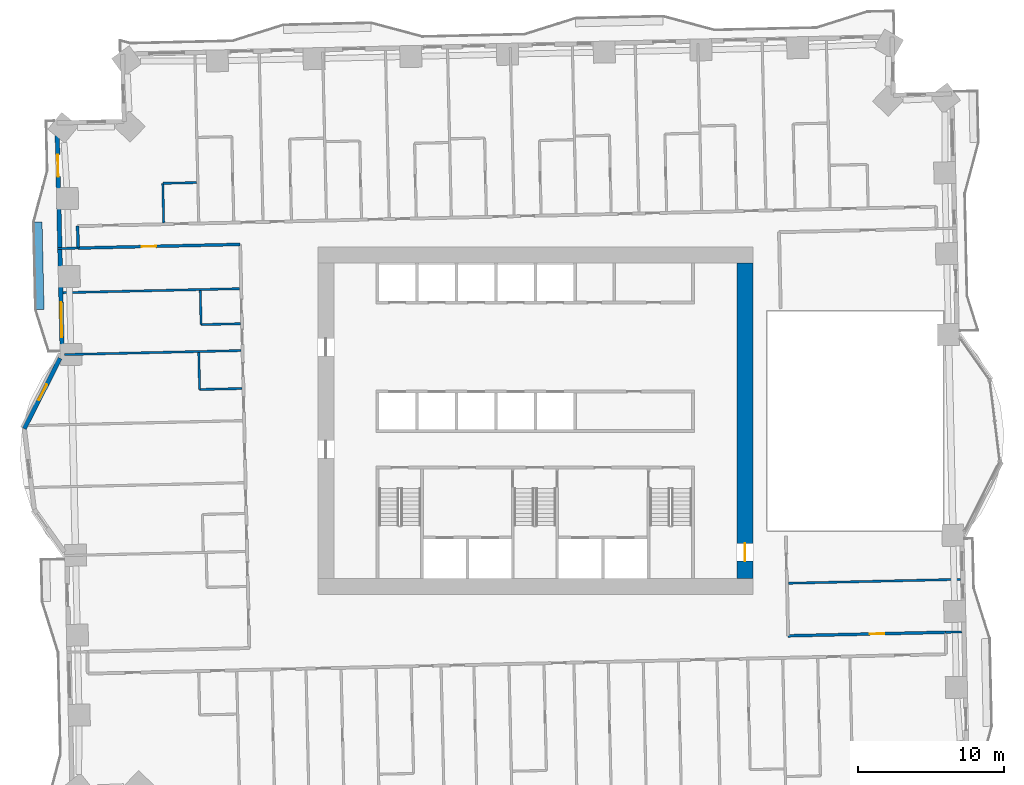
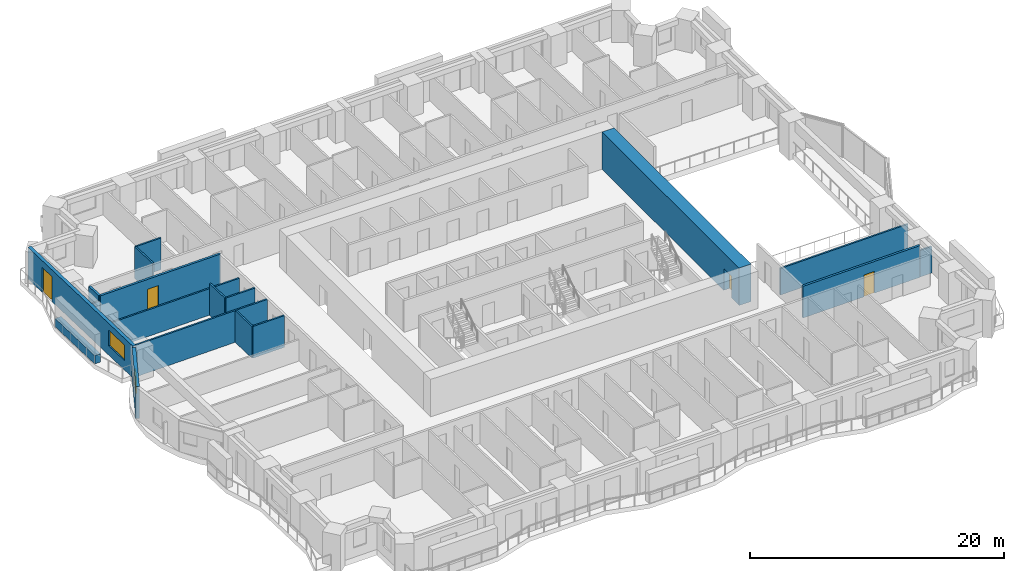
# One storey, part 8 of 16: 18 walls, 4 doors, 2 windows, 6 openings.
"""IFC4 building model written with IfcOpenShell, lengths in metres."""

from ifc_helpers import new_model, si_unit, direction, frame, frame_2d, origin, place, context, subcontext, project, spatial, rectangle, extrude, material, layer, layer_set, type_object, element, fill, save


model = new_model("IFC4")

# Units and contexts
model_context = context("Model", 3, precision=1e-05, world=origin(), true_north=direction((0.0, 1.0)))
body_context = subcontext(model_context, "Body", "Model", "MODEL_VIEW")
ifc_project = project(units=[si_unit("LENGTHUNIT", "METRE"), si_unit("AREAUNIT", "SQUARE_METRE"), si_unit("VOLUMEUNIT", "CUBIC_METRE"), si_unit("PLANEANGLEUNIT", "RADIAN"), si_unit("MASSUNIT", "GRAM", prefix="KILO")], contexts=[model_context])

# Site, building, storey
site_placement = place(None, origin())
site = spatial("IfcSite", under=ifc_project, at=site_placement, CompositionType="ELEMENT")
building_placement = place(site_placement, origin())
building = spatial("IfcBuilding", under=site, at=building_placement, Name="Mangrove Gate Tower", CompositionType="ELEMENT")
storey_placement = place(building_placement, frame((0.0, 0.0, 44.89990234375)))
storey = spatial("IfcBuildingStorey", under=building, at=storey_placement, Name="L10", CompositionType="ELEMENT", Elevation=44.89990234375)

# Wall, opening, door
ifc_material_1 = material(Name="Concrete C70/85", Category="concrete")
ifc_layer_1 = layer(ifc_material_1, 1.10009765625)
ifc_layer_set_1 = layer_set([ifc_layer_1], Name="Core wall 1100 C70/85")
wall_type_1 = type_object("IfcWallType", Name="Core wall 1100 C70/85", PredefinedType="SHEAR", material=ifc_layer_set_1)
wall_1_placement = place(storey_placement, frame((14.35009765625, -10.800048828125, 0.0), z_axis=(0.0, 0.0, 1.0), x_axis=(0.0, 1.0, 0.0)))
wall_1 = element("IfcWall", 1, at=wall_1_placement, inside=storey, type_object=wall_type_1, Name="WALL-L10-CORE-4", PredefinedType="SHEAR", context=body_context, shape_type="SweptSolid", body=[
    extrude(rectangle(XDim=21.60009765625, YDim=1.10009765625, at=frame_2d((10.800048828125, 0.0))), origin(), (0.0, 0.0, 1.0), 3.60009765625),
])
opening_1_placement = place(wall_1_placement, frame((1.199951171875, 0.0, 0.0)))
opening_1 = element("IfcOpeningElement", 2, at=opening_1_placement, cuts=wall_1, Name="Opening CD", PredefinedType="OPENING", context=body_context, shape_type="SweptSolid", body=[
    extrude(rectangle(XDim=1.199951171875, YDim=2.10009765625, at=frame_2d((0.60009765625, 1.050048828125))), frame((0.0, 0.56005859375, 0.0), z_axis=(0.0, -1.0, 0.0), x_axis=(1.0, 0.0, 0.0)), (0.0, 0.0, 1.0), 1.1201171875),
])
ifc_material_2 = material(Name="Fire-rated steel door set", Category="steel")
door_type_1 = type_object("IfcDoorType", Name="Core ring door FD60 1200x2100", OperationType="DOUBLE_DOOR_SINGLE_SWING", PredefinedType="DOOR", material=ifc_material_2)
door_1_placement = place(opening_1_placement, origin())
door_1 = element("IfcDoor", 3, at=door_1_placement, inside=storey, type_object=door_type_1, Name="Core ring door E1", OperationType="DOUBLE_DOOR_SINGLE_SWING", OverallHeight=2.10009765625, OverallWidth=1.199951171875, PredefinedType="DOOR", context=body_context, shape_type="SweptSolid", body=[
    extrude(rectangle(XDim=1.199951171875, YDim=2.10009765625, at=frame_2d((0.60009765625, 1.050048828125))), frame((0.0, 0.02490234375, 0.0), z_axis=(0.0, -1.0, 0.0), x_axis=(1.0, 0.0, 0.0)), (0.0, 0.0, 1.0), 0.050048828125),
])
fill(opening_1, door_1)

ifc_material_3 = material(Name="Gypsum board on steel stud, EI 60", Category="steel")
ifc_layer_2 = layer(ifc_material_3, 0.199951171875)
ifc_layer_set_2 = layer_set([ifc_layer_2], Name="Corridor wall EI 60")
wall_type_2 = type_object("IfcWallType", Name="Corridor wall EI 60", PredefinedType="PARTITIONING", material=ifc_layer_set_2)
wall_2_placement = place(storey_placement, frame((17.305908203125, -14.72412109375, 0.0), z_axis=(0.0, 0.0, 1.0), x_axis=(0.999744269809, 0.022614043969, 0.0)))
wall_2 = element("IfcWall", 4, at=wall_2_placement, inside=storey, type_object=wall_type_2, Name="WALL-L10-037", PredefinedType="PARTITIONING", context=body_context, shape_type="SweptSolid", body=[
    extrude(rectangle(XDim=10.7958984375, YDim=0.199951171875, at=frame_2d((5.39794921875, 0.0))), origin(), (0.0, 0.0, 1.0), 3.050048828125),
])
opening_2_placement = place(wall_2_placement, frame((5.597900390625, 0.0, 0.0)))
opening_2 = element("IfcOpeningElement", 5, at=opening_2_placement, cuts=wall_2, Name="Opening AD", PredefinedType="OPENING", context=body_context, shape_type="SweptSolid", body=[
    extrude(rectangle(XDim=1.0, YDim=2.10009765625, at=frame_2d((0.5, 1.050048828125))), frame((0.0, 0.10986328125, 0.0), z_axis=(0.0, -1.0, 0.0), x_axis=(1.0, 0.0, 0.0)), (0.0, 0.0, 1.0), 0.219970703125),
])
ifc_material_4 = material(Name="Timber door leaf", Category="wood")
door_type_2 = type_object("IfcDoorType", Name="Amenity door 1000", OperationType="SINGLE_SWING_LEFT", PredefinedType="DOOR", material=ifc_material_4)
door_2_placement = place(opening_2_placement, origin())
door_2 = element("IfcDoor", 6, at=door_2_placement, inside=storey, type_object=door_type_2, Name="DOOR-L10-KIT-c3a", OperationType="SINGLE_SWING_LEFT", OverallHeight=2.10009765625, OverallWidth=1.0, PredefinedType="DOOR", context=body_context, shape_type="SweptSolid", body=[
    extrude(rectangle(XDim=1.0, YDim=2.10009765625, at=frame_2d((0.5, 1.050048828125))), frame((0.0, 0.02490234375, 0.0), z_axis=(0.0, -1.0, 0.0), x_axis=(1.0, 0.0, 0.0)), (0.0, 0.0, 1.0), 0.050048828125),
])
fill(opening_2, door_2)

wall_3_placement = place(storey_placement, frame((-31.31298828125, 11.8291015625, 0.0), z_axis=(0.0, 0.0, 1.0), x_axis=(0.999742346277, 0.022698921993, 0.0)))
wall_3 = element("IfcWall", 7, at=wall_3_placement, inside=storey, type_object=wall_type_2, Name="WALL-L10-056", PredefinedType="PARTITIONING", context=body_context, shape_type="SweptSolid", body=[
    extrude(rectangle(XDim=11.099853515625, YDim=0.199951171875, at=frame_2d((5.5498046875, 0.0))), origin(), (0.0, 0.0, 1.0), 3.050048828125),
])
opening_3_placement = place(wall_3_placement, frame((4.35009765625, 0.0, 0.0)))
opening_3 = element("IfcOpeningElement", 8, at=opening_3_placement, cuts=wall_3, Name="Opening AD", PredefinedType="OPENING", context=body_context, shape_type="SweptSolid", body=[
    extrude(rectangle(XDim=1.0, YDim=2.10009765625, at=frame_2d((0.5, 1.050048828125))), frame((0.0, 0.10986328125, 0.0), z_axis=(0.0, -1.0, 0.0), x_axis=(1.0, 0.0, 0.0)), (0.0, 0.0, 1.0), 0.219970703125),
])
door_3_placement = place(opening_3_placement, origin())
door_3 = element("IfcDoor", 9, at=door_3_placement, inside=storey, type_object=door_type_2, Name="DOOR-L10-STU-c5a", OperationType="SINGLE_SWING_RIGHT", OverallHeight=2.10009765625, OverallWidth=1.0, PredefinedType="DOOR", context=body_context, shape_type="SweptSolid", body=[
    extrude(rectangle(XDim=1.0, YDim=2.10009765625, at=frame_2d((0.5, 1.050048828125))), frame((0.0, 0.02490234375, 0.0), z_axis=(0.0, -1.0, 0.0), x_axis=(1.0, 0.0, 0.0)), (0.0, 0.0, 1.0), 0.050048828125),
])
fill(opening_3, door_3)

# Wall
wall_4_placement = place(storey_placement, frame((-31.31298828125, 11.8291015625, 0.0), z_axis=(0.0, 0.0, 1.0), x_axis=(-0.022617910375, 0.999744182344, 0.0)))
element("IfcWall", 10, at=wall_4_placement, inside=storey, type_object=wall_type_2, Name="WALL-L10-057", PredefinedType="PARTITIONING", context=body_context, shape_type="SweptSolid", body=[
    extrude(rectangle(XDim=1.50048828125, YDim=0.199951171875, at=frame_2d((0.750244140625, 0.0))), origin(), (0.0, 0.0, 1.0), 3.050048828125),
])

# Wall, openings, door, window
ifc_material_5 = material(Name="Limestone", Category="masonry")
ifc_layer_3 = layer(ifc_material_5, 0.0400390625, Name="Limestone cladding")
ifc_material_6 = material(Name="Ventilated air gap")
ifc_layer_4 = layer(ifc_material_6, 0.0400390625, Name="Ventilated cavity")
ifc_material_7 = material(Name="Mineral wool insulation")
ifc_layer_5 = layer(ifc_material_7, 0.06005859375, Name="Insulation")
ifc_material_8 = material(Name="Breather membrane")
ifc_layer_6 = layer(ifc_material_8, 0.001953125, Name="Breather membrane")
ifc_material_9 = material(Name="Concrete C20/25 blockwork", Category="masonry")
ifc_layer_7 = layer(ifc_material_9, 0.14990234375, Name="Blockwork backing wall")
ifc_material_10 = material(Name="Gypsum plaster")
ifc_layer_8 = layer(ifc_material_10, 0.008056640625, Name="Internal plaster")
ifc_layer_set_3 = layer_set([ifc_layer_3, ifc_layer_4, ifc_layer_5, ifc_layer_6, ifc_layer_7, ifc_layer_8], Name="External wall 300 limestone cladding")
wall_type_3 = type_object("IfcWallType", Name="External wall 300 limestone cladding", PredefinedType="SOLIDWALL", material=ifc_layer_set_3)
wall_5_placement = place(storey_placement, frame((-32.758056640625, 20.39892578125, 0.0), z_axis=(0.0, 0.0, 1.0), x_axis=(0.022668485183, -0.999743036875, 0.0)))
wall_5 = element("IfcWall", 11, at=wall_5_placement, inside=storey, type_object=wall_type_3, Name="WALL-L10-W8", PredefinedType="SOLIDWALL", context=body_context, shape_type="SweptSolid", body=[
    extrude(rectangle(XDim=15.928955078125, YDim=0.300048828125, at=frame_2d((7.96435546875, 0.0))), origin(), (0.0, 0.0, 1.0), 3.050048828125),
])
opening_4_placement = place(wall_5_placement, frame((2.169921875, 0.0, 0.0)))
opening_4 = element("IfcOpeningElement", 12, at=opening_4_placement, cuts=wall_5, Name="Opening BD1", PredefinedType="OPENING", context=body_context, shape_type="SweptSolid", body=[
    extrude(rectangle(XDim=1.5, YDim=2.39990234375, at=frame_2d((0.75, 1.199951171875))), frame((0.0, 0.159912109375, 0.0), z_axis=(0.0, -1.0, 0.0), x_axis=(1.0, 0.0, 0.0)), (0.0, 0.0, 1.0), 0.320068359375),
])
opening_5_placement = place(wall_5_placement, frame((12.27490234375, 0.0, 0.89990234375)))
opening_5 = element("IfcOpeningElement", 13, at=opening_5_placement, cuts=wall_5, Name="Opening W2", PredefinedType="OPENING", context=body_context, shape_type="SweptSolid", body=[
    extrude(rectangle(XDim=2.39990234375, YDim=1.5, at=frame_2d((1.199951171875, 0.75))), frame((0.0, 0.159912109375, 0.0), z_axis=(0.0, -1.0, 0.0), x_axis=(1.0, 0.0, 0.0)), (0.0, 0.0, 1.0), 0.320068359375),
])
ifc_material_11 = material(Name="Aluminium frame with laminated clear glass", Category="aluminium")
door_type_3 = type_object("IfcDoorType", Name="Balcony sliding door 1500x2400", OperationType="SLIDING_TO_LEFT", PredefinedType="DOOR", material=ifc_material_11)
door_4_placement = place(opening_4_placement, origin())
door_4 = element("IfcDoor", 14, at=door_4_placement, inside=storey, type_object=door_type_3, Name="DOOR-L10-W8-1", OperationType="SLIDING_TO_LEFT", OverallHeight=2.39990234375, OverallWidth=1.5, PredefinedType="DOOR", context=body_context, shape_type="SweptSolid", body=[
    extrude(rectangle(XDim=1.5, YDim=2.39990234375, at=frame_2d((0.75, 1.199951171875))), frame((0.0, 0.02490234375, 0.0), z_axis=(0.0, -1.0, 0.0), x_axis=(1.0, 0.0, 0.0)), (0.0, 0.0, 1.0), 0.050048828125),
])
fill(opening_4, door_4)
ifc_material_12 = material(Name="Aluminium frame with double-glazed low-e glass", Category="aluminium")
window_type_1 = type_object("IfcWindowType", Name="Corner room window 2400x1500", PartitioningType="DOUBLE_PANEL_VERTICAL", PredefinedType="WINDOW", material=ifc_material_12)
window_1_placement = place(opening_5_placement, origin())
window_1 = element("IfcWindow", 15, at=window_1_placement, inside=storey, type_object=window_type_1, Name="WIN-L10-W8-2", OverallHeight=1.5, OverallWidth=2.39990234375, PartitioningType="DOUBLE_PANEL_VERTICAL", PredefinedType="WINDOW", context=body_context, shape_type="SweptSolid", body=[
    extrude(rectangle(XDim=2.39990234375, YDim=1.5, at=frame_2d((1.199951171875, 0.75))), frame((0.0, 0.030029296875, 0.0), z_axis=(0.0, -1.0, 0.0), x_axis=(1.0, 0.0, 0.0)), (0.0, 0.0, 1.0), 0.06005859375),
])
fill(opening_5, window_1)

# Wall, opening, window
wall_6_placement = place(storey_placement, frame((-32.552001953125, 4.280029296875, 0.0), z_axis=(0.0, 0.0, 1.0), x_axis=(-0.452703975507, -0.891660871946, 0.0)))
wall_6 = element("IfcWall", 16, at=wall_6_placement, inside=storey, type_object=wall_type_3, Name="WALL-L10-W9f1", PredefinedType="SOLIDWALL", context=body_context, shape_type="SweptSolid", body=[
    extrude(rectangle(XDim=5.39892578125, YDim=0.300048828125, at=frame_2d((2.699462890625, 0.0))), origin(), (0.0, 0.0, 1.0), 3.050048828125),
])
opening_6_placement = place(wall_6_placement, frame((2.007080078125, 0.0, 0.89990234375)))
opening_6 = element("IfcOpeningElement", 17, at=opening_6_placement, cuts=wall_6, Name="Opening W1", PredefinedType="OPENING", context=body_context, shape_type="SweptSolid", body=[
    extrude(rectangle(XDim=1.199951171875, YDim=1.5, at=frame_2d((0.60009765625, 0.75))), frame((0.0, 0.159912109375, 0.0), z_axis=(0.0, -1.0, 0.0), x_axis=(1.0, 0.0, 0.0)), (0.0, 0.0, 1.0), 0.320068359375),
])
ifc_material_13 = material(Name="Aluminium frame with double-glazed low-e glass", Category="aluminium")
window_type_2 = type_object("IfcWindowType", Name="Side lite 1200x1500", PartitioningType="SINGLE_PANEL", PredefinedType="WINDOW", material=ifc_material_13)
window_2_placement = place(opening_6_placement, origin())
window_2 = element("IfcWindow", 18, at=window_2_placement, inside=storey, type_object=window_type_2, Name="WIN-L10-W9f1", OverallHeight=1.5, OverallWidth=1.199951171875, PartitioningType="SINGLE_PANEL", PredefinedType="WINDOW", context=body_context, shape_type="SweptSolid", body=[
    extrude(rectangle(XDim=1.199951171875, YDim=1.5, at=frame_2d((0.60009765625, 0.75))), frame((0.0, 0.030029296875, 0.0), z_axis=(0.0, -1.0, 0.0), x_axis=(1.0, 0.0, 0.0)), (0.0, 0.0, 1.0), 0.06005859375),
])
fill(opening_6, window_2)

# Walls
ifc_material_14 = material(Name="Gypsum board on steel stud, EI 60", Category="steel")
ifc_layer_9 = layer(ifc_material_14, 0.14990234375)
ifc_layer_set_4 = layer_set([ifc_layer_9], Name="Party wall 150 EI 60")
wall_type_4 = type_object("IfcWallType", Name="Party wall 150 EI 60", PredefinedType="PARTITIONING", material=ifc_layer_set_4)
wall_7_placement = place(storey_placement, frame((28.094970703125, -14.47998046875, 0.0), z_axis=(0.0, 0.0, 1.0), x_axis=(0.999745251335, 0.022570609924, 0.0)))
element("IfcWall", 19, at=wall_7_placement, inside=storey, type_object=wall_type_4, Name="WALL-L10-039", PredefinedType="PARTITIONING", context=body_context, shape_type="SweptSolid", body=[
    extrude(rectangle(XDim=1.103271484375, YDim=0.14990234375, at=frame_2d((0.5517578125, 0.0))), origin(), (0.0, 0.0, 1.0), 2.550048828125),
])
wall_8_placement = place(storey_placement, frame((17.324951171875, -11.123046875, 0.0), z_axis=(0.0, 0.0, 1.0), x_axis=(0.999741707298, 0.022727047508, 0.0)))
element("IfcWall", 20, at=wall_8_placement, inside=storey, type_object=wall_type_4, Name="WALL-L10-040", PredefinedType="PARTITIONING", context=body_context, shape_type="SweptSolid", body=[
    extrude(rectangle(XDim=11.794921875, YDim=0.14990234375, at=frame_2d((5.8974609375, 0.0))), origin(), (0.0, 0.0, 1.0), 2.550048828125),
])
wall_9_placement = place(storey_placement, frame((-22.991943359375, 2.14111328125, 0.0), z_axis=(0.0, 0.0, 1.0), x_axis=(-0.022629142889, 0.99974392816, 0.0)))
element("IfcWall", 21, at=wall_9_placement, inside=storey, type_object=wall_type_4, Name="WALL-L10-048", PredefinedType="PARTITIONING", context=body_context, shape_type="SweptSolid", body=[
    extrude(rectangle(XDim=2.524658203125, YDim=0.14990234375, at=frame_2d((1.26220703125, 0.0))), origin(), (0.0, 0.0, 1.0), 3.050048828125),
])
wall_10_placement = place(storey_placement, frame((-22.991943359375, 2.14599609375, 0.0), z_axis=(0.0, 0.0, 1.0), x_axis=(0.999749340989, 0.022388729138, 0.0)))
element("IfcWall", 22, at=wall_10_placement, inside=storey, type_object=wall_type_4, Name="WALL-L10-049", PredefinedType="PARTITIONING", context=body_context, shape_type="SweptSolid", body=[
    extrude(rectangle(XDim=2.900634765625, YDim=0.14990234375, at=frame_2d((1.4501953125, 0.0))), origin(), (0.0, 0.0, 1.0), 3.050048828125),
])
wall_11_placement = place(storey_placement, frame((-32.248046875, 4.535888671875, 0.0), z_axis=(0.0, 0.0, 1.0), x_axis=(0.999741439573, 0.022738821441, 0.0)))
element("IfcWall", 23, at=wall_11_placement, inside=storey, type_object=wall_type_4, Name="WALL-L10-050", PredefinedType="PARTITIONING", context=body_context, shape_type="SweptSolid", body=[
    extrude(rectangle(XDim=12.100341796875, YDim=0.14990234375, at=frame_2d((6.05029296875, 0.0))), origin(), (0.0, 0.0, 1.0), 3.050048828125),
])
wall_12_placement = place(storey_placement, frame((-22.89208984375, 6.589111328125, 0.0), z_axis=(0.0, 0.0, 1.0), x_axis=(0.999746436932, 0.022518033722, 0.0)))
element("IfcWall", 24, at=wall_12_placement, inside=storey, type_object=wall_type_4, Name="WALL-L10-051", PredefinedType="PARTITIONING", context=body_context, shape_type="SweptSolid", body=[
    extrude(rectangle(XDim=2.69970703125, YDim=0.14990234375, at=frame_2d((1.349853515625, 0.0))), origin(), (0.0, 0.0, 1.0), 3.050048828125),
])
wall_13_placement = place(storey_placement, frame((-22.89306640625, 6.593994140625, 0.0), z_axis=(0.0, 0.0, 1.0), x_axis=(-0.022370700241, 0.999749744571, 0.0)))
element("IfcWall", 25, at=wall_13_placement, inside=storey, type_object=wall_type_4, Name="WALL-L10-052", PredefinedType="PARTITIONING", context=body_context, shape_type="SweptSolid", body=[
    extrude(rectangle(XDim=2.324462890625, YDim=0.14990234375, at=frame_2d((1.162109375, 0.0))), origin(), (0.0, 0.0, 1.0), 3.050048828125),
])
wall_14_placement = place(storey_placement, frame((-32.343994140625, 8.77490234375, 0.0), z_axis=(0.0, 0.0, 1.0), x_axis=(0.999741387404, 0.022741115019, 0.0)))
element("IfcWall", 26, at=wall_14_placement, inside=storey, type_object=wall_type_4, Name="WALL-L10-054", PredefinedType="PARTITIONING", context=body_context, shape_type="SweptSolid", body=[
    extrude(rectangle(XDim=12.09912109375, YDim=0.14990234375, at=frame_2d((6.049560546875, 0.0))), origin(), (0.0, 0.0, 1.0), 2.550048828125),
])
wall_15_placement = place(storey_placement, frame((-32.712890625, 11.798095703125, 0.0), z_axis=(0.0, 0.0, 1.0), x_axis=(0.999756172383, 0.022081571112, 0.0)))
element("IfcWall", 27, at=wall_15_placement, inside=storey, type_object=wall_type_4, Name="WALL-L10-055", PredefinedType="PARTITIONING", context=body_context, shape_type="SweptSolid", body=[
    extrude(rectangle(XDim=1.404052734375, YDim=0.14990234375, at=frame_2d((0.7021484375, 0.0))), origin(), (0.0, 0.0, 1.0), 2.550048828125),
])
wall_16_placement = place(storey_placement, frame((-25.450927734375, 13.56298828125, 0.0), z_axis=(0.0, 0.0, 1.0), x_axis=(-0.022969966847, 0.999736155505, 0.0)))
element("IfcWall", 28, at=wall_16_placement, inside=storey, type_object=wall_type_4, Name="WALL-L10-062", PredefinedType="PARTITIONING", context=body_context, shape_type="SweptSolid", body=[
    extrude(rectangle(XDim=2.69970703125, YDim=0.14990234375, at=frame_2d((1.349853515625, 0.0))), origin(), (0.0, 0.0, 1.0), 3.050048828125),
])
wall_17_placement = place(storey_placement, frame((-25.512939453125, 16.261962890625, 0.0), z_axis=(0.0, 0.0, 1.0), x_axis=(0.999740478815, 0.022781023197, 0.0)))
element("IfcWall", 29, at=wall_17_placement, inside=storey, type_object=wall_type_4, Name="WALL-L10-085", PredefinedType="PARTITIONING", context=body_context, shape_type="SweptSolid", body=[
    extrude(rectangle(XDim=2.325439453125, YDim=0.14990234375, at=frame_2d((1.16259765625, 0.0))), origin(), (0.0, 0.0, 1.0), 3.050048828125),
])
ifc_material_15 = material(Name="Concrete C32/40", Category="concrete")
ifc_layer_10 = layer(ifc_material_15, 0.199951171875, Name="Planter trough wall")
ifc_material_16 = material(Name="Bituminous waterproofing membrane")
ifc_layer_11 = layer(ifc_material_16, 0.0048828125, Name="Waterproofing")
ifc_material_17 = material(Name="Drainage board and gravel")
ifc_layer_12 = layer(ifc_material_17, 0.044921875, Name="Drainage layer")
ifc_material_18 = material(Name="Planting soil")
ifc_layer_13 = layer(ifc_material_18, 0.300048828125, Name="Growing medium")
ifc_layer_set_5 = layer_set([ifc_layer_10, ifc_layer_11, ifc_layer_12, ifc_layer_13], Name="Planter wall 550 C32/40")
wall_type_5 = type_object("IfcWallType", Name="Planter wall 550 C32/40", PredefinedType="USERDEFINED", material=ifc_layer_set_5)
wall_18_placement = place(storey_placement, frame((-33.91796875, 7.6201171875, 0.0), z_axis=(0.0, 0.0, 1.0), x_axis=(-0.022666865795, 0.999743073592, 0.0)))
element("IfcWall", 30, at=wall_18_placement, inside=storey, type_object=wall_type_5, Name="PLANTER L10 W0.1", ObjectType="PLANTER", PredefinedType="USERDEFINED", context=body_context, shape_type="SweptSolid", body=[
    extrude(rectangle(XDim=5.999267578125, YDim=0.550048828125, at=frame_2d((2.99951171875, 0.0))), origin(), (0.0, 0.0, 1.0), 0.800048828125),
])

save(model, "model.ifc")
